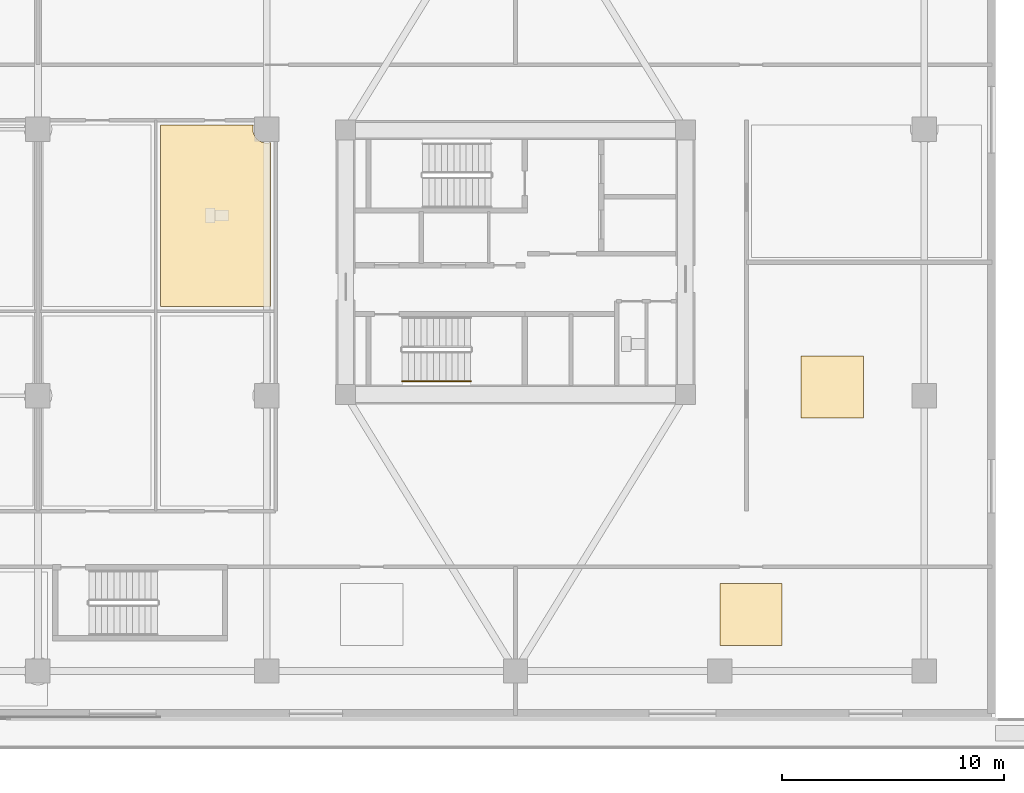
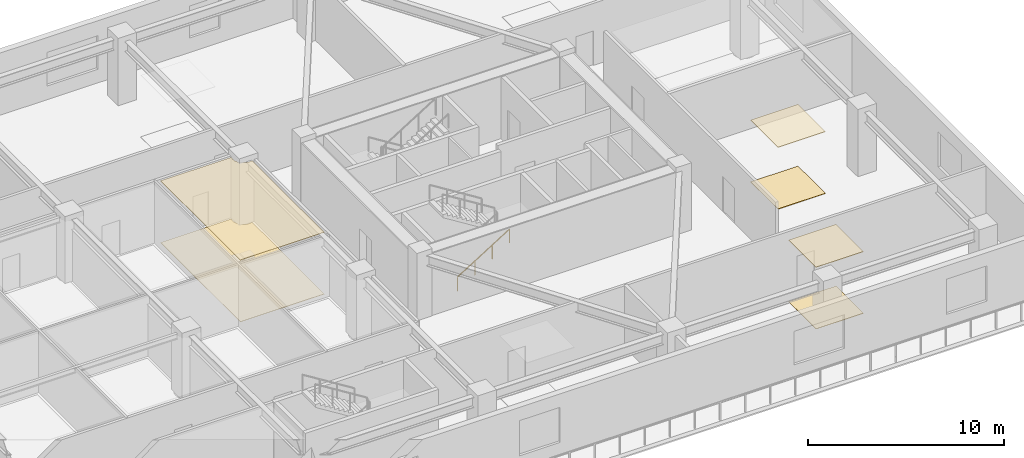
# One storey, part 18 of 22: 6 coverings, 1 railing.
"""IFC4 building model written with IfcOpenShell, lengths in metres."""

from ifc_helpers import new_model, si_unit, direction, frame, origin, origin_2d, place, context, subcontext, project, spatial, polyline, rectangle, outline, extrude, material, layer, layer_set, type_object, element, save


model = new_model("IFC4")

# Units and contexts
model_context = context("Model", 3, precision=1e-05, world=origin(), true_north=direction((0.0, 1.0)))
body_context = subcontext(model_context, "Body", "Model", "MODEL_VIEW")
ifc_project = project(units=[si_unit("LENGTHUNIT", "METRE"), si_unit("AREAUNIT", "SQUARE_METRE"), si_unit("VOLUMEUNIT", "CUBIC_METRE"), si_unit("PLANEANGLEUNIT", "RADIAN"), si_unit("MASSUNIT", "GRAM", prefix="KILO")], contexts=[model_context])

# Site, building, storey
site_placement = place(None, origin())
site = spatial("IfcSite", under=ifc_project, at=site_placement, CompositionType="ELEMENT")
building_placement = place(site_placement, origin())
building = spatial("IfcBuilding", under=site, at=building_placement, Name="Norrkilde Senior Care Towers", CompositionType="ELEMENT")
storey_placement = place(building_placement, frame((0.0, 0.0, 12.60009765625)))
storey = spatial("IfcBuildingStorey", under=building, at=storey_placement, Name="L03", CompositionType="ELEMENT", Elevation=12.60009765625)

# Coverings
ifc_material_1 = material(Name="Gypsum Acoustic Board")
ifc_layer_1 = layer(ifc_material_1, 0.030029296875)
ifc_layer_set_1 = layer_set([ifc_layer_1], Name="Gypsum Acoustic Board")
covering_type_1 = type_object("IfcCoveringType", Name="Medical Cleanable Gypsum Ceiling 30", PredefinedType="CEILING", material=ifc_layer_set_1)
covering_1_placement = place(storey_placement, frame((0.0, 0.0, 3.849853515625)))
element("IfcCovering", 1, at=covering_1_placement, inside=storey, type_object=covering_type_1, Name="L03 Suspended Ceiling 0072", PredefinedType="CEILING", context=body_context, shape_type="SweptSolid", body=[
    extrude(outline(polyline([(40.8623046875, -7.019775390625), (40.8623046875, -4.2197265625), (43.662353515625, -4.2197265625), (43.662353515625, -7.019775390625), (40.8623046875, -7.019775390625)])), origin(), (0.0, 0.0, 1.0), 0.030029296875),
])
covering_2_placement = place(storey_placement, frame((0.0, 0.0, 3.849853515625)))
element("IfcCovering", 2, at=covering_2_placement, inside=storey, type_object=covering_type_1, Name="L03 Suspended Ceiling 0085", PredefinedType="CEILING", context=body_context, shape_type="SweptSolid", body=[
    extrude(outline(polyline([(16.97998046875, -1.97998046875), (12.02001953125, -1.97998046875), (12.02001953125, 6.179931640625), (16.198486328125, 6.179931640625), (16.19140625, 6.1630859375), (16.169921875, 6.0), (16.19140625, 5.8369140625), (16.25439453125, 5.68505859375), (16.3544921875, 5.554443359375), (16.485107421875, 5.454345703125), (16.636962890625, 5.391357421875), (16.800048828125, 5.3701171875), (16.963134765625, 5.391357421875), (16.97998046875, 5.3984375), (16.97998046875, -1.97998046875)])), origin(), (0.0, 0.0, 1.0), 0.030029296875),
])
covering_3_placement = place(storey_placement, frame((0.0, 0.0, 3.849853515625)))
element("IfcCovering", 3, at=covering_3_placement, inside=storey, type_object=covering_type_1, Name="L03 Suspended Ceiling 0095", PredefinedType="CEILING", context=body_context, shape_type="SweptSolid", body=[
    extrude(outline(polyline([(37.199951171875, -17.2548828125), (37.199951171875, -14.455078125), (40.0, -14.455078125), (40.0, -17.2548828125), (37.199951171875, -17.2548828125)])), origin(), (0.0, 0.0, 1.0), 0.030029296875),
])
ifc_material_2 = material(Name="Slip-Resistant Porcelain Stone", Category="masonry")
ifc_layer_2 = layer(ifc_material_2, 0.02490234375)
ifc_layer_set_2 = layer_set([ifc_layer_2], Name="Slip-Resistant Porcelain Stone")
covering_type_2 = type_object("IfcCoveringType", Name="Slip-Resistant Porcelain Flooring 25", PredefinedType="FLOORING", material=ifc_layer_set_2)
covering_4_placement = place(storey_placement, origin())
element("IfcCovering", 4, at=covering_4_placement, inside=storey, type_object=covering_type_2, Name="L03 Floor Finish 0072", PredefinedType="FLOORING", context=body_context, shape_type="SweptSolid", body=[
    extrude(outline(polyline([(40.8623046875, -7.019775390625), (40.8623046875, -4.2197265625), (43.662353515625, -4.2197265625), (43.662353515625, -7.019775390625), (40.8623046875, -7.019775390625)])), origin(), (0.0, 0.0, 1.0), 0.02490234375),
])
covering_5_placement = place(storey_placement, origin())
element("IfcCovering", 5, at=covering_5_placement, inside=storey, type_object=covering_type_2, Name="L03 Floor Finish 0085", PredefinedType="FLOORING", context=body_context, shape_type="SweptSolid", body=[
    extrude(outline(polyline([(16.97998046875, -1.97998046875), (12.02001953125, -1.97998046875), (12.02001953125, 6.179931640625), (16.198486328125, 6.179931640625), (16.19140625, 6.1630859375), (16.169921875, 6.0), (16.19140625, 5.8369140625), (16.25439453125, 5.68505859375), (16.3544921875, 5.554443359375), (16.485107421875, 5.454345703125), (16.636962890625, 5.391357421875), (16.800048828125, 5.3701171875), (16.963134765625, 5.391357421875), (16.97998046875, 5.3984375), (16.97998046875, -1.97998046875)])), origin(), (0.0, 0.0, 1.0), 0.02490234375),
])
covering_6_placement = place(storey_placement, origin())
element("IfcCovering", 6, at=covering_6_placement, inside=storey, type_object=covering_type_2, Name="L03 Floor Finish 0095", PredefinedType="FLOORING", context=body_context, shape_type="SweptSolid", body=[
    extrude(outline(polyline([(37.199951171875, -17.2548828125), (37.199951171875, -14.455078125), (40.0, -14.455078125), (40.0, -17.2548828125), (37.199951171875, -17.2548828125)])), origin(), (0.0, 0.0, 1.0), 0.02490234375),
])

# Railing
ifc_material_3 = material(Name="Nordic Ash Timber", Category="wood")
railing_type = type_object("IfcRailingType", Name="Wall and Stair Handrail 900", PredefinedType="HANDRAIL", material=ifc_material_3)
railing_placement = place(storey_placement, frame((22.89990234375, -5.35009765625, 0.1748046875)))
element("IfcRailing", 7, at=railing_placement, inside=storey, type_object=railing_type, Name="L03 ST-E2 stair handrail 1", PredefinedType="HANDRAIL", context=body_context, shape_type="SweptSolid", body=[
    extrude(rectangle(XDim=0.048095703125, YDim=0.048095703125, at=origin_2d()), frame((0.0, 0.0, 0.8759765625), z_axis=(0.847998304005, 0.0, 0.529998940003), x_axis=(0.0, 1.0, 0.0)), (0.0, 0.0, 1.0), 3.632080078125),
    extrude(rectangle(XDim=0.0419921875, YDim=0.0419921875, at=origin_2d()), origin(), (0.0, 0.0, 1.0), 0.849853515625),
    extrude(rectangle(XDim=0.0419921875, YDim=0.0419921875, at=origin_2d()), frame((1.026611328125, 0.0, 0.6416015625)), (0.0, 0.0, 1.0), 0.849853515625),
    extrude(rectangle(XDim=0.0419921875, YDim=0.0419921875, at=origin_2d()), frame((2.053466796875, 0.0, 1.283447265625)), (0.0, 0.0, 1.0), 0.849853515625),
    extrude(rectangle(XDim=0.0419921875, YDim=0.0419921875, at=origin_2d()), frame((3.080078125, 0.0, 1.925048828125)), (0.0, 0.0, 1.0), 0.849853515625),
])

save(model, "model.ifc")
